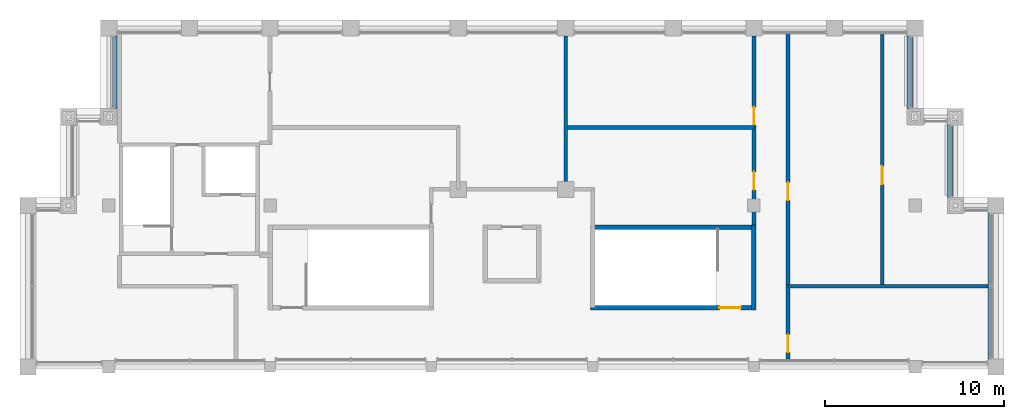
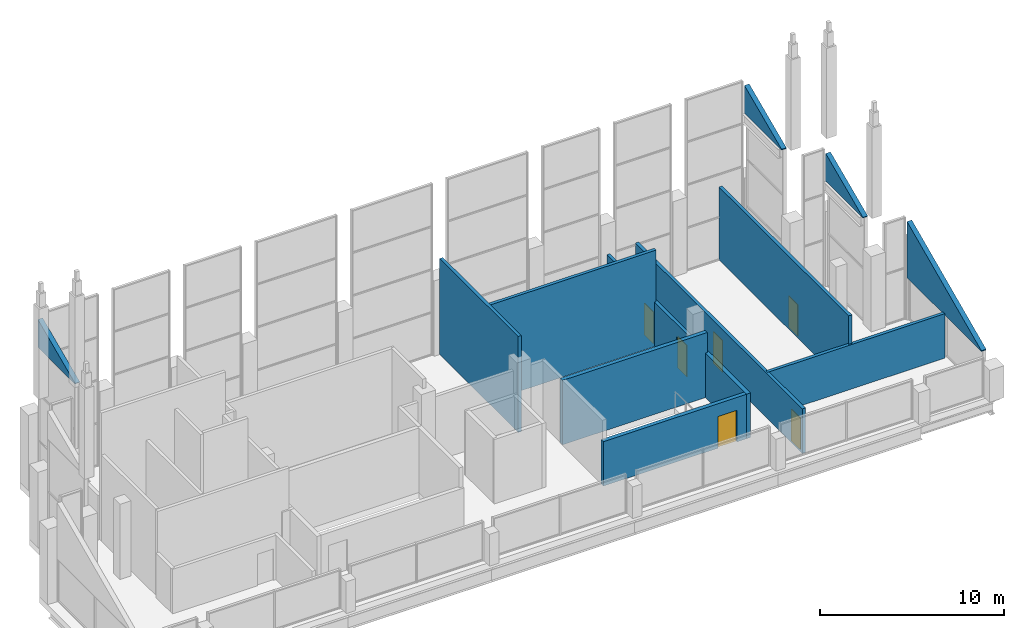
# One storey, part 8 of 9: 13 walls, 6 doors, 6 openings.
"""IFC4 building model written with IfcOpenShell, lengths in metres."""

from ifc_helpers import new_model, si_unit, direction, frame, frame_2d, origin, place, context, subcontext, project, spatial, polyline, rectangle, outline, extrude, material, layer, layer_set, type_object, element, fill, save


model = new_model("IFC4")

# Units and contexts
model_context = context("Model", 3, precision=1e-05, world=origin(), true_north=direction((0.0, 1.0)))
body_context = subcontext(model_context, "Body", "Model", "MODEL_VIEW")
ifc_project = project(units=[si_unit("LENGTHUNIT", "METRE"), si_unit("AREAUNIT", "SQUARE_METRE"), si_unit("VOLUMEUNIT", "CUBIC_METRE"), si_unit("PLANEANGLEUNIT", "RADIAN"), si_unit("MASSUNIT", "GRAM", prefix="KILO")], contexts=[model_context])

# Site, building, storey
site_placement = place(None, origin())
site = spatial("IfcSite", under=ifc_project, at=site_placement, CompositionType="ELEMENT")
building_placement = place(site_placement, origin())
building = spatial("IfcBuilding", under=site, at=building_placement, Name="Corbelhall Arena Tower", CompositionType="ELEMENT")
storey_placement = place(building_placement, frame((0.0, 0.0, 386.0)))
storey = spatial("IfcBuildingStorey", under=building, at=storey_placement, Name="L83", CompositionType="ELEMENT", Elevation=386.0)

# Walls
ifc_material_1 = material(Name="Precast concrete C40/50 with granite facing", Category="masonry")
ifc_layer_1 = layer(ifc_material_1, 0.300048828125)
ifc_layer_set_1 = layer_set([ifc_layer_1], Name="EV-IW3 Parapet 300")
wall_type_1 = type_object("IfcWallType", Name="EV-IW3 Parapet 300", PredefinedType="SOLIDWALL", material=ifc_layer_set_1)
wall_1_placement = place(storey_placement, frame((26.699951171875, 9.449951171875, 2.826416015625), z_axis=(0.0, 0.0, 1.0), x_axis=(0.0, 1.0, 0.0)))
element("IfcWall", 1, at=wall_1_placement, inside=storey, type_object=wall_type_1, Name="Infill panel IW3", PredefinedType="SOLIDWALL", context=body_context, shape_type="SweptSolid", body=[
    extrude(outline(polyline([(0.0, 0.0), (8.10009765625, 0.0), (8.10009765625, 3.727783203125), (0.0, 0.050048828125), (0.0, 0.0)])), frame((0.0, 0.14990234375, 0.0), z_axis=(0.0, -1.0, 0.0), x_axis=(1.0, 0.0, 0.0)), (0.0, 0.0, 1.0), 0.300048828125),
])
for number, where, z_axis, x_axis, name in (
    (2, (24.449951171875, 18.449951171875, 7.02001953125), (0.0, 0.0, 1.0), (0.0, 1.0, 0.0), "Infill panel IW3A"),
    (3, (22.199951171875, 23.39990234375, 9.326416015625), (0.0, 0.0, 1.0), (0.0, 1.0, 0.0), "Infill panel IW3B"),
):
    element("IfcWall", number, at=place(storey_placement, frame(where, z_axis=z_axis, x_axis=x_axis)), inside=storey, type_object=wall_type_1, Name=name, PredefinedType="SOLIDWALL", context=body_context, shape_type="SweptSolid", body=[
        extrude(outline(polyline([(0.0, 0.0), (4.050048828125, 0.0), (4.050048828125, 1.840576171875), (0.0, 0.050048828125), (0.0, 0.0)])), frame((0.0, 0.14990234375, 0.0), z_axis=(0.0, -1.0, 0.0), x_axis=(1.0, 0.0, 0.0)), (0.0, 0.0, 1.0), 0.300048828125),
    ])
wall_2_placement = place(storey_placement, frame((-22.199951171875, 27.449951171875, 9.326416015625), z_axis=(0.0, 0.0, 1.0), x_axis=(0.0, -1.0, 0.0)))
element("IfcWall", 4, at=wall_2_placement, inside=storey, type_object=wall_type_1, Name="Infill panel IW3B", PredefinedType="SOLIDWALL", context=body_context, shape_type="SweptSolid", body=[
    extrude(outline(polyline([(0.0, 0.0), (4.050048828125, 0.0), (4.050048828125, 0.050048828125), (0.0, 1.840576171875), (0.0, 0.0)])), frame((0.0, 0.14990234375, 0.0), z_axis=(0.0, -1.0, 0.0), x_axis=(1.0, 0.0, 0.0)), (0.0, 0.0, 1.0), 0.300048828125),
])
ifc_material_2 = material(Name="Gypsum board on steel stud, acoustic", Category="steel")
ifc_layer_2 = layer(ifc_material_2, 0.199951171875)
ifc_layer_set_2 = layer_set([ifc_layer_2], Name="IN-W-DM200")
wall_type_2 = type_object("IfcWallType", Name="IN-W-DM200", PredefinedType="PARTITIONING", material=ifc_layer_set_2)
wall_3_placement = place(storey_placement, frame((3.0, 22.35009765625, 0.0), z_axis=(0.0, 0.0, 1.0), x_axis=(1.0, 0.0, 0.0)))
element("IfcWall", 5, at=wall_3_placement, inside=storey, type_object=wall_type_2, Name="Partition 012", PredefinedType="PARTITIONING", context=body_context, shape_type="SweptSolid", body=[
    extrude(rectangle(XDim=10.5, YDim=0.199951171875, at=frame_2d((5.25, 0.0))), origin(), (0.0, 0.0, 1.0), 6.3779296875),
])
wall_4_placement = place(storey_placement, frame((3.0, 27.449951171875, 0.0), z_axis=(0.0, 0.0, 1.0), x_axis=(0.0, -1.0, 0.0)))
element("IfcWall", 6, at=wall_4_placement, inside=storey, type_object=wall_type_2, Name="Partition 013", PredefinedType="PARTITIONING", context=body_context, shape_type="SweptSolid", body=[
    extrude(rectangle(XDim=8.550048828125, YDim=0.199951171875, at=frame_2d((4.27490234375, 0.0))), origin(), (0.0, 0.0, 1.0), 6.3779296875),
])

# Wall, openings, doors
wall_5_placement = place(storey_placement, frame((13.5, 16.675048828125, 0.0), z_axis=(0.0, 0.0, 1.0), x_axis=(0.0, 1.0, 0.0)))
wall_5 = element("IfcWall", 7, at=wall_5_placement, inside=storey, type_object=wall_type_2, Name="Partition 015", PredefinedType="PARTITIONING", context=body_context, shape_type="SweptSolid", body=[
    extrude(rectangle(XDim=10.77490234375, YDim=0.199951171875, at=frame_2d((5.387451171875, 0.0))), origin(), (0.0, 0.0, 1.0), 2.953125),
])
opening_1_placement = place(wall_5_placement, frame((2.199951171875, 0.0, 0.0)))
opening_1 = element("IfcOpeningElement", 8, at=opening_1_placement, cuts=wall_5, Name="Opening 37005", PredefinedType="OPENING", context=body_context, shape_type="SweptSolid", body=[
    extrude(rectangle(XDim=1.0, YDim=2.10009765625, at=frame_2d((0.5, 1.050048828125))), frame((0.0, 0.10009765625, 0.0), z_axis=(0.0, -1.0, 0.0), x_axis=(1.0, 0.0, 0.0)), (0.0, 0.0, 1.0), 0.199951171875),
])
opening_2_placement = place(wall_5_placement, frame((5.824951171875, 0.0, 0.0)))
opening_2 = element("IfcOpeningElement", 9, at=opening_2_placement, cuts=wall_5, Name="Opening 37006", PredefinedType="OPENING", context=body_context, shape_type="SweptSolid", body=[
    extrude(rectangle(XDim=1.0, YDim=2.10009765625, at=frame_2d((0.5, 1.050048828125))), frame((0.0, 0.10009765625, 0.0), z_axis=(0.0, -1.0, 0.0), x_axis=(1.0, 0.0, 0.0)), (0.0, 0.0, 1.0), 0.199951171875),
])
ifc_material_3 = material(Name="Steel door set", Category="steel")
door_type_1 = type_object("IfcDoorType", Name="IN-D-SW100", OperationType="NOTDEFINED", PredefinedType="DOOR", material=ifc_material_3)
door_1_placement = place(opening_1_placement, origin())
door_1 = element("IfcDoor", 10, at=door_1_placement, inside=storey, type_object=door_type_1, Name="Door 005", OperationType="SINGLE_SWING_RIGHT", OverallHeight=2.10009765625, OverallWidth=1.0, PredefinedType="DOOR", context=body_context, shape_type="SweptSolid", body=[
    extrude(rectangle(XDim=1.0, YDim=2.10009765625, at=frame_2d((0.5, 1.050048828125))), frame((0.0, 0.02490234375, 0.0), z_axis=(0.0, -1.0, 0.0), x_axis=(1.0, 0.0, 0.0)), (0.0, 0.0, 1.0), 0.050048828125),
])
fill(opening_1, door_1)
door_2_placement = place(opening_2_placement, origin())
door_2 = element("IfcDoor", 11, at=door_2_placement, inside=storey, type_object=door_type_1, Name="Door 006", OperationType="SINGLE_SWING_LEFT", OverallHeight=2.10009765625, OverallWidth=1.0, PredefinedType="DOOR", context=body_context, shape_type="SweptSolid", body=[
    extrude(rectangle(XDim=1.0, YDim=2.10009765625, at=frame_2d((0.5, 1.050048828125))), frame((0.0, 0.02490234375, 0.0), z_axis=(0.0, -1.0, 0.0), x_axis=(1.0, 0.0, 0.0)), (0.0, 0.0, 1.0), 0.050048828125),
])
fill(opening_2, door_2)

# Wall
wall_6_placement = place(storey_placement, frame((15.39990234375, 13.5, 0.0), z_axis=(0.0, 0.0, 1.0), x_axis=(1.0, 0.0, 0.0)))
element("IfcWall", 12, at=wall_6_placement, inside=storey, type_object=wall_type_2, Name="Partition 016", PredefinedType="PARTITIONING", context=body_context, shape_type="SweptSolid", body=[
    extrude(rectangle(XDim=11.150146484375, YDim=0.199951171875, at=frame_2d((5.5751953125, 0.0))), origin(), (0.0, 0.0, 1.0), 2.953125),
])

# Wall, openings, doors
wall_7_placement = place(storey_placement, frame((15.39990234375, 27.635986328125, 0.0), z_axis=(0.0, 0.0, 1.0), x_axis=(0.0, -1.0, 0.0)))
wall_7 = element("IfcWall", 13, at=wall_7_placement, inside=storey, type_object=wall_type_2, Name="Partition 017", PredefinedType="PARTITIONING", context=body_context, shape_type="SweptSolid", body=[
    extrude(rectangle(XDim=18.18603515625, YDim=0.199951171875, at=frame_2d((9.093017578125, 0.0))), origin(), (0.0, 0.0, 1.0), 2.953125),
])
opening_3_placement = place(wall_7_placement, frame((16.8359375, 0.0, 0.0)))
opening_3 = element("IfcOpeningElement", 14, at=opening_3_placement, cuts=wall_7, Name="Opening 37008", PredefinedType="OPENING", context=body_context, shape_type="SweptSolid", body=[
    extrude(rectangle(XDim=1.0, YDim=2.10009765625, at=frame_2d((0.5, 1.050048828125))), frame((0.0, 0.10009765625, 0.0), z_axis=(0.0, -1.0, 0.0), x_axis=(1.0, 0.0, 0.0)), (0.0, 0.0, 1.0), 0.199951171875),
])
opening_4_placement = place(wall_7_placement, frame((8.35009765625, 0.0, 0.0)))
opening_4 = element("IfcOpeningElement", 15, at=opening_4_placement, cuts=wall_7, Name="Opening 37009", PredefinedType="OPENING", context=body_context, shape_type="SweptSolid", body=[
    extrude(rectangle(XDim=1.0, YDim=2.10009765625, at=frame_2d((0.5, 1.050048828125))), frame((0.0, 0.10009765625, 0.0), z_axis=(0.0, -1.0, 0.0), x_axis=(1.0, 0.0, 0.0)), (0.0, 0.0, 1.0), 0.199951171875),
])
door_3_placement = place(opening_3_placement, origin())
door_3 = element("IfcDoor", 16, at=door_3_placement, inside=storey, type_object=door_type_1, Name="Door 008", OperationType="SINGLE_SWING_LEFT", OverallHeight=2.10009765625, OverallWidth=1.0, PredefinedType="DOOR", context=body_context, shape_type="SweptSolid", body=[
    extrude(rectangle(XDim=1.0, YDim=2.10009765625, at=frame_2d((0.5, 1.050048828125))), frame((0.0, 0.02490234375, 0.0), z_axis=(0.0, -1.0, 0.0), x_axis=(1.0, 0.0, 0.0)), (0.0, 0.0, 1.0), 0.050048828125),
])
fill(opening_3, door_3)
door_4_placement = place(opening_4_placement, origin())
door_4 = element("IfcDoor", 17, at=door_4_placement, inside=storey, type_object=door_type_1, Name="Door 009", OperationType="SINGLE_SWING_RIGHT", OverallHeight=2.10009765625, OverallWidth=1.0, PredefinedType="DOOR", context=body_context, shape_type="SweptSolid", body=[
    extrude(rectangle(XDim=1.0, YDim=2.10009765625, at=frame_2d((0.5, 1.050048828125))), frame((0.0, 0.02490234375, 0.0), z_axis=(0.0, -1.0, 0.0), x_axis=(1.0, 0.0, 0.0)), (0.0, 0.0, 1.0), 0.050048828125),
])
fill(opening_4, door_4)

# Wall, opening, door
wall_8_placement = place(storey_placement, frame((20.64990234375, 27.635986328125, 0.0), z_axis=(0.0, 0.0, 1.0), x_axis=(0.0, -1.0, 0.0)))
wall_8 = element("IfcWall", 18, at=wall_8_placement, inside=storey, type_object=wall_type_2, Name="Partition 018", PredefinedType="PARTITIONING", context=body_context, shape_type="SweptSolid", body=[
    extrude(rectangle(XDim=14.135986328125, YDim=0.199951171875, at=frame_2d((7.06787109375, 0.0))), origin(), (0.0, 0.0, 1.0), 4.84033203125),
])
opening_5_placement = place(wall_8_placement, frame((7.449951171875, 0.0, 0.0)))
opening_5 = element("IfcOpeningElement", 19, at=opening_5_placement, cuts=wall_8, Name="Opening 37010", PredefinedType="OPENING", context=body_context, shape_type="SweptSolid", body=[
    extrude(rectangle(XDim=1.0, YDim=2.10009765625, at=frame_2d((0.5, 1.050048828125))), frame((0.0, 0.10009765625, 0.0), z_axis=(0.0, -1.0, 0.0), x_axis=(1.0, 0.0, 0.0)), (0.0, 0.0, 1.0), 0.199951171875),
])
door_5_placement = place(opening_5_placement, origin())
door_5 = element("IfcDoor", 20, at=door_5_placement, inside=storey, type_object=door_type_1, Name="Door 010", OperationType="SINGLE_SWING_LEFT", OverallHeight=2.10009765625, OverallWidth=1.0, PredefinedType="DOOR", context=body_context, shape_type="SweptSolid", body=[
    extrude(rectangle(XDim=1.0, YDim=2.10009765625, at=frame_2d((0.5, 1.050048828125))), frame((0.0, 0.02490234375, 0.0), z_axis=(0.0, -1.0, 0.0), x_axis=(1.0, 0.0, 0.0)), (0.0, 0.0, 1.0), 0.050048828125),
])
fill(opening_5, door_5)

ifc_material_4 = material(Name="Concrete C40/50", Category="concrete")
ifc_layer_3 = layer(ifc_material_4, 0.25)
ifc_layer_set_3 = layer_set([ifc_layer_3], Name="IN-W-ST250")
wall_type_3 = type_object("IfcWallType", Name="IN-W-ST250", PredefinedType="SOLIDWALL", material=ifc_layer_set_3)
wall_9_placement = place(storey_placement, frame((4.375, 12.300048828125, 0.0), z_axis=(0.0, 0.0, 1.0), x_axis=(1.0, 0.0, 0.0)))
wall_9 = element("IfcWall", 21, at=wall_9_placement, inside=storey, type_object=wall_type_3, Name="Shaft wall 027", PredefinedType="SOLIDWALL", context=body_context, shape_type="SweptSolid", body=[
    extrude(rectangle(XDim=9.125, YDim=0.25, at=frame_2d((4.5625, 0.0))), origin(), (0.0, 0.0, 1.0), 2.953125),
])
opening_6_placement = place(wall_9_placement, frame((7.199951171875, 0.0, 0.0)))
opening_6 = element("IfcOpeningElement", 22, at=opening_6_placement, cuts=wall_9, Name="Opening 37002", PredefinedType="OPENING", context=body_context, shape_type="SweptSolid", body=[
    extrude(rectangle(XDim=1.199951171875, YDim=2.10009765625, at=frame_2d((0.60009765625, 1.050048828125))), frame((0.0, 0.125, 0.0), z_axis=(0.0, -1.0, 0.0), x_axis=(1.0, 0.0, 0.0)), (0.0, 0.0, 1.0), 0.25),
])
door_type_2 = type_object("IfcDoorType", Name="IN-D-ST120", OperationType="NOTDEFINED", PredefinedType="DOOR", material=ifc_material_3)
door_6_placement = place(opening_6_placement, origin())
door_6 = element("IfcDoor", 23, at=door_6_placement, inside=storey, type_object=door_type_2, Name="Door 002", OperationType="SINGLE_SWING_LEFT", OverallHeight=2.10009765625, OverallWidth=1.199951171875, PredefinedType="DOOR", context=body_context, shape_type="SweptSolid", body=[
    extrude(rectangle(XDim=1.199951171875, YDim=2.10009765625, at=frame_2d((0.60009765625, 1.050048828125))), frame((0.0, 0.02490234375, 0.0), z_axis=(0.0, -1.0, 0.0), x_axis=(1.0, 0.0, 0.0)), (0.0, 0.0, 1.0), 0.050048828125),
])
fill(opening_6, door_6)

# Walls
wall_10_placement = place(storey_placement, frame((4.39990234375, 16.800048828125, 0.0), z_axis=(0.0, 0.0, 1.0), x_axis=(1.0, 0.0, 0.0)))
element("IfcWall", 24, at=wall_10_placement, inside=storey, type_object=wall_type_3, Name="Shaft wall 028", PredefinedType="SOLIDWALL", context=body_context, shape_type="SweptSolid", body=[
    extrude(rectangle(XDim=9.10009765625, YDim=0.25, at=frame_2d((4.550048828125, 0.0))), origin(), (0.0, 0.0, 1.0), 4.28125),
])
wall_11_placement = place(storey_placement, frame((13.5, 12.175048828125, 0.0), z_axis=(0.0, 0.0, 1.0), x_axis=(0.0, 1.0, 0.0)))
element("IfcWall", 25, at=wall_11_placement, inside=storey, type_object=wall_type_3, Name="Shaft wall 030", PredefinedType="SOLIDWALL", context=body_context, shape_type="SweptSolid", body=[
    extrude(rectangle(XDim=4.75, YDim=0.25, at=frame_2d((2.375, 0.0))), origin(), (0.0, 0.0, 1.0), 2.953125),
])

save(model, "model.ifc")
